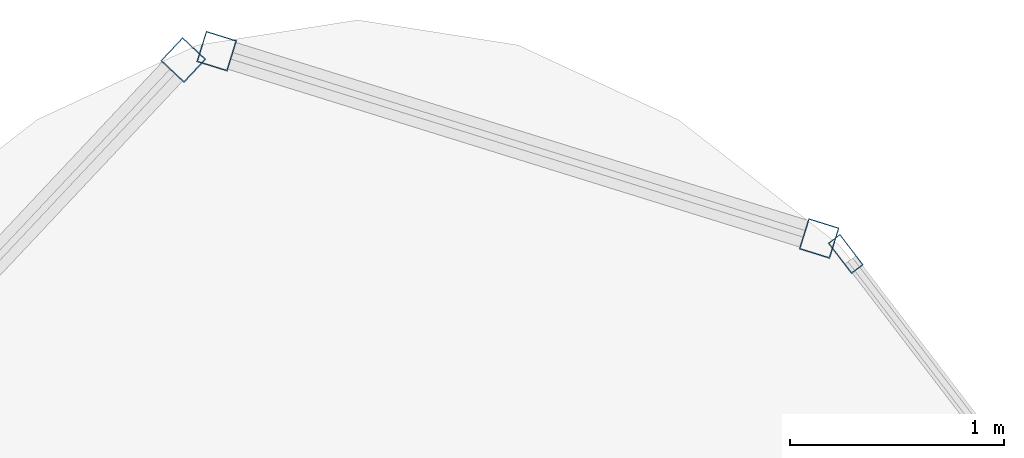
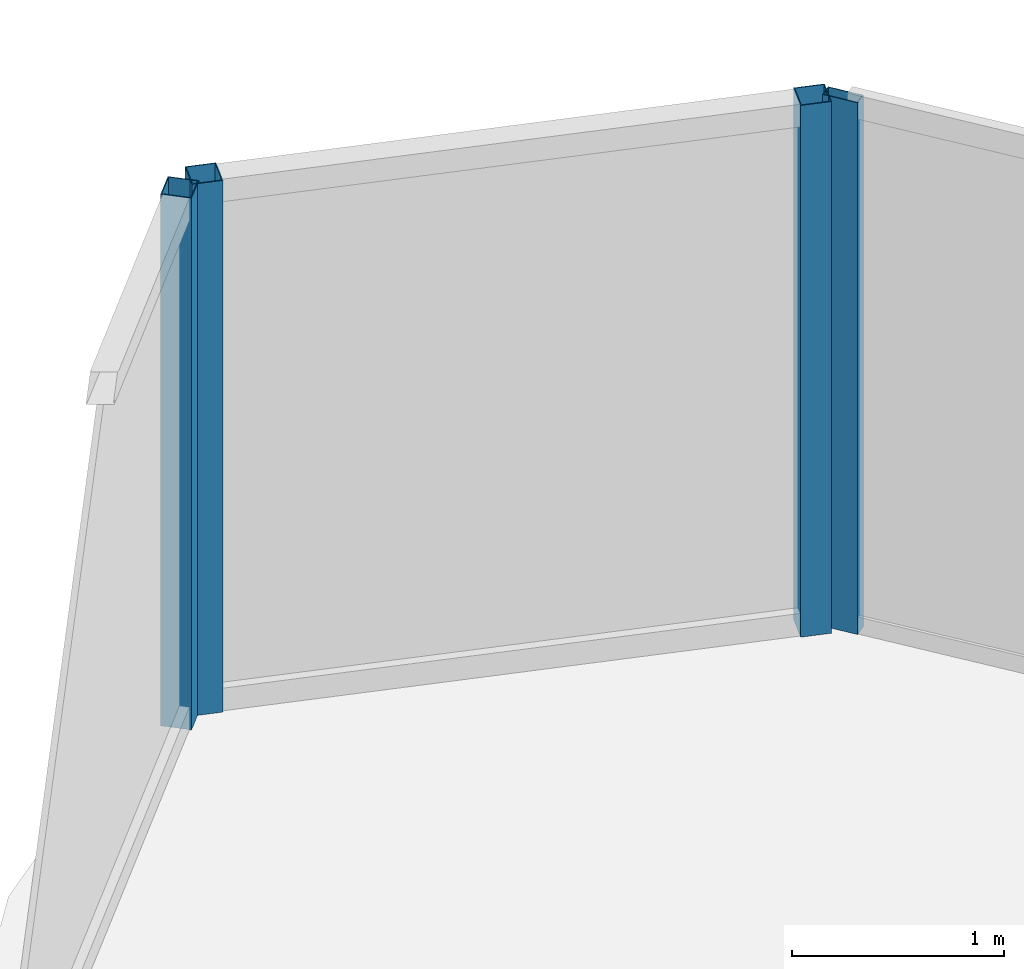
# One storey, part 23 of 33: 4 members, 3 elements without a shape of their own.
"""IFC4 building model written with IfcOpenShell, lengths in metres."""

from ifc_helpers import new_model, si_unit, direction, frame, origin, origin_2d, place, context, subcontext, project, spatial, hollow_rectangle, extrude, material, layer, layer_set, material_profile, profile_set, type_object, element, aggregate, save


model = new_model("IFC4")

# Units and contexts
model_context = context("Model", 3, precision=1e-05, world=origin(), true_north=direction((0.0, 1.0)))
body_context = subcontext(model_context, "Body", "Model", "MODEL_VIEW")
ifc_project = project(units=[si_unit("LENGTHUNIT", "METRE"), si_unit("AREAUNIT", "SQUARE_METRE"), si_unit("VOLUMEUNIT", "CUBIC_METRE"), si_unit("PLANEANGLEUNIT", "RADIAN"), si_unit("MASSUNIT", "GRAM", prefix="KILO")], contexts=[model_context])

# Site, building, storey
site_placement = place(None, origin())
site = spatial("IfcSite", under=ifc_project, at=site_placement, CompositionType="ELEMENT")
building_placement = place(site_placement, origin())
building = spatial("IfcBuilding", under=site, at=building_placement, Name="Orvanel Arch Residences", CompositionType="ELEMENT")
storey_placement = place(building_placement, frame((0.0, 0.0, 90.64990234375)))
storey = spatial("IfcBuildingStorey", under=building, at=storey_placement, Name="L25", CompositionType="ELEMENT", Elevation=90.64990234375)

# Curtain wall, members
ifc_material = material(Name="Bronze-anodised aluminium AA6063-T6", Category="aluminium")
ifc_layer_1 = layer(ifc_material, 0.18994140625)
ifc_layer_set_1 = layer_set([ifc_layer_1], Name="Bronze-anodised aluminium AA6063-T6")
curtain_wall_type_1 = type_object("IfcCurtainWallType", Name="CW5-CRN-SYS", PredefinedType="NOTDEFINED", material=ifc_layer_set_1)
curtain_wall_1_placement = place(storey_placement, origin())
curtain_wall_1 = element("IfcCurtainWall", 1, at=curtain_wall_1_placement, inside=storey, type_object=curtain_wall_type_1, Name="L25 CW5-CRN-SYS Unitised Curtain Wall", PredefinedType="NOTDEFINED")
ifc_material_profile_1 = material_profile(ifc_material, hollow_rectangle(XDim=0.14990234375, YDim=0.14990234375, WallThickness=0.0048828125, at=origin_2d()), Name="ALU150x150x5")
ifc_profile_set_1 = profile_set([ifc_material_profile_1], Name="Bronze-anodised aluminium AA6063-T6")
member_type_1 = type_object("IfcMemberType", Name="MUL-150x150", PredefinedType="MULLION", material=ifc_profile_set_1)
member_1_placement = place(storey_placement, frame((35.1513671875, 49.474365234375, 0.0), z_axis=(0.0, 0.0, 1.0), x_axis=(-0.296948579427, -0.954893471114, 0.0)))
member_1 = element("IfcMember", 2, at=member_1_placement, type_object=member_type_1, Name="CW-S5 mullion 1", PredefinedType="MULLION", context=body_context, shape_type="SweptSolid", body=[
    extrude(hollow_rectangle(XDim=0.14990234375, YDim=0.14990234375, WallThickness=0.0048828125, at=origin_2d()), origin(), (0.0, 0.0, 1.0), 3.06005859375),
])
member_2_placement = place(storey_placement, frame((32.342529296875, 50.34765625, 0.0), z_axis=(0.0, 0.0, 1.0), x_axis=(-0.296948579427, -0.954893471114, 0.0)))
member_2 = element("IfcMember", 3, at=member_2_placement, type_object=member_type_1, Name="CW-S5 mullion 2", PredefinedType="MULLION", context=body_context, shape_type="SweptSolid", body=[
    extrude(hollow_rectangle(XDim=0.14990234375, YDim=0.14990234375, WallThickness=0.0048828125, at=origin_2d()), origin(), (0.0, 0.0, 1.0), 3.06005859375),
])
aggregate(curtain_wall_1, [member_1, member_2])

# Curtain wall, member
curtain_wall_2_placement = place(storey_placement, origin())
curtain_wall_2 = element("IfcCurtainWall", 4, at=curtain_wall_2_placement, inside=storey, type_object=curtain_wall_type_1, Name="L25 CW5-CRN-SYS Unitised Curtain Wall", PredefinedType="NOTDEFINED")
member_3_placement = place(storey_placement, frame((32.186767578125, 50.306396484375, 0.0), z_axis=(0.0, 0.0, 1.0), x_axis=(0.72886179286, -0.684660855394, 0.0)))
member_3 = element("IfcMember", 5, at=member_3_placement, type_object=member_type_1, Name="CW-S5 mullion 1", PredefinedType="MULLION", context=body_context, shape_type="SweptSolid", body=[
    extrude(hollow_rectangle(XDim=0.14990234375, YDim=0.14990234375, WallThickness=0.0048828125, at=origin_2d()), origin(), (0.0, 0.0, 1.0), 3.06005859375),
])
aggregate(curtain_wall_2, [member_3])

ifc_layer_2 = layer(ifc_material, 0.179931640625)
ifc_layer_set_2 = layer_set([ifc_layer_2], Name="Bronze-anodised aluminium AA6063-T6")
curtain_wall_type_2 = type_object("IfcCurtainWallType", Name="CW2-LOW-SYS", PredefinedType="NOTDEFINED", material=ifc_layer_set_2)
curtain_wall_3_placement = place(storey_placement, origin())
curtain_wall_3 = element("IfcCurtainWall", 6, at=curtain_wall_3_placement, inside=storey, type_object=curtain_wall_type_2, Name="L25 CW2-LOW-SYS Unitised Curtain Wall", PredefinedType="NOTDEFINED")
ifc_material_profile_2 = material_profile(ifc_material, hollow_rectangle(XDim=0.070068359375, YDim=0.179931640625, WallThickness=0.00439453125, at=origin_2d()), Name="ALU180x70x4.5")
ifc_profile_set_2 = profile_set([ifc_material_profile_2], Name="Bronze-anodised aluminium AA6063-T6")
member_type_2 = type_object("IfcMemberType", Name="MUL-180x70", PredefinedType="MULLION", material=ifc_profile_set_2)
member_4_placement = place(storey_placement, frame((35.275146484375, 49.402099609375, 0.0), z_axis=(0.0, 0.0, 1.0), x_axis=(-0.794440878404, -0.607341494318, 0.0)))
member_4 = element("IfcMember", 7, at=member_4_placement, type_object=member_type_2, Name="CW-S2 mullion 4", PredefinedType="MULLION", context=body_context, shape_type="SweptSolid", body=[
    extrude(hollow_rectangle(XDim=0.070068359375, YDim=0.179931640625, WallThickness=0.00439453125, at=origin_2d()), origin(), (0.0, 0.0, 1.0), 3.06005859375),
])
aggregate(curtain_wall_3, [member_4])

save(model, "model.ifc")
